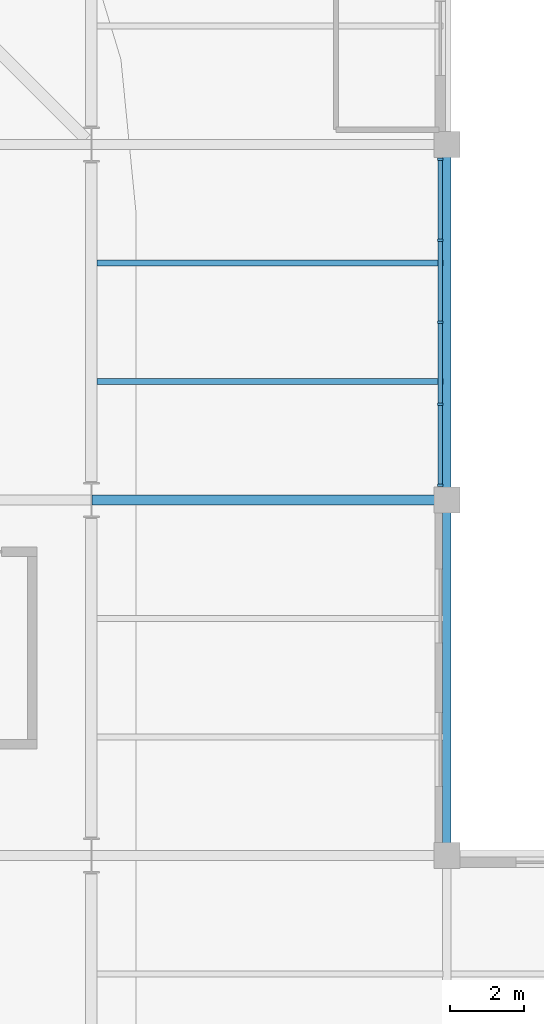
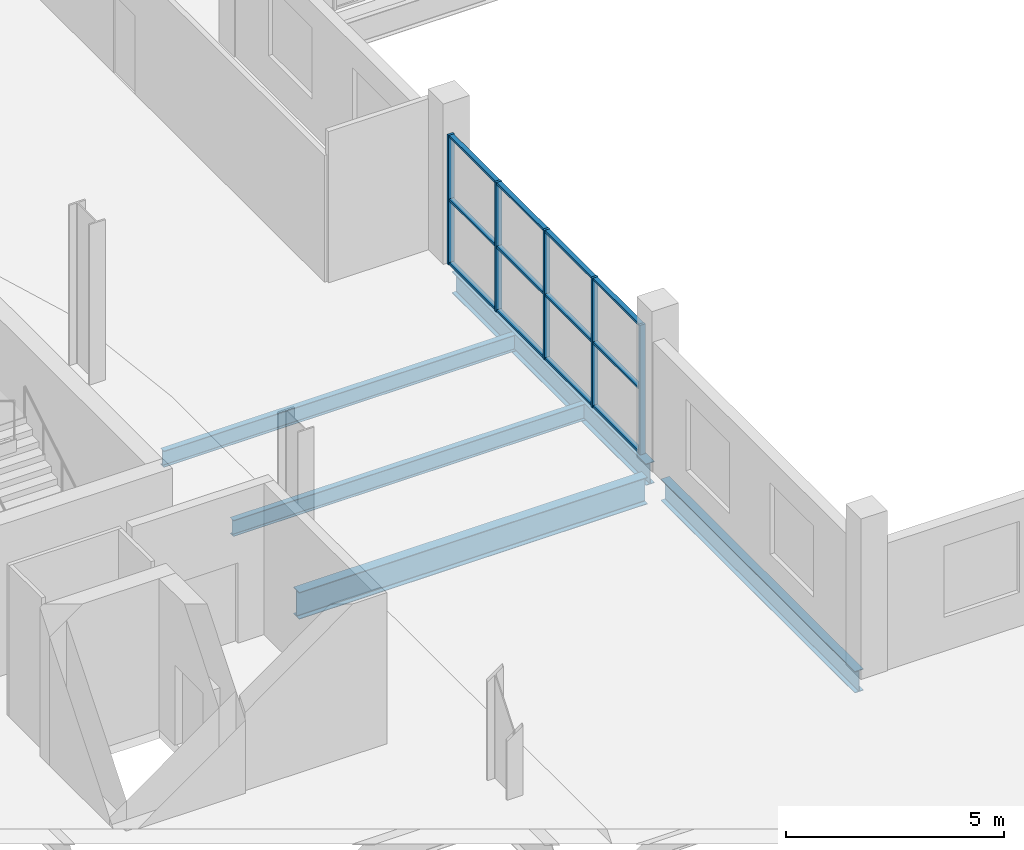
# One storey, part 25 of 75: 17 members, 5 beams, 1 element without a shape of its own.
"""IFC4 building model written with IfcOpenShell, lengths in metres."""

from ifc_helpers import new_model, si_unit, direction, frame, origin, origin_2d, place, context, subcontext, project, spatial, rectangle, i_section, extrude, material, layer, layer_set, material_profile, profile_set, type_object, element, aggregate, save


model = new_model("IFC4")

# Units and contexts
model_context = context("Model", 3, precision=1e-05, world=origin(), true_north=direction((0.0, 1.0)))
body_context = subcontext(model_context, "Body", "Model", "MODEL_VIEW")
ifc_project = project(units=[si_unit("LENGTHUNIT", "METRE"), si_unit("AREAUNIT", "SQUARE_METRE"), si_unit("VOLUMEUNIT", "CUBIC_METRE"), si_unit("PLANEANGLEUNIT", "RADIAN"), si_unit("MASSUNIT", "GRAM", prefix="KILO")], contexts=[model_context])

# Site, building, storey
site_placement = place(None, origin())
site = spatial("IfcSite", under=ifc_project, at=site_placement, CompositionType="ELEMENT")
building_placement = place(site_placement, origin())
building = spatial("IfcBuilding", under=site, at=building_placement, Name="Caelomonte Colonnade Arena", CompositionType="ELEMENT")
storey_placement = place(building_placement, frame((0.0, 0.0, 14.10009765625)))
storey = spatial("IfcBuildingStorey", under=building, at=storey_placement, Name="L03", CompositionType="ELEMENT", Elevation=14.10009765625)

# Curtain wall, members
ifc_material_1 = material(Name="Bronze anodised aluminium and low-E glazing", Category="aluminium")
ifc_layer = layer(ifc_material_1, 0.179931640625)
ifc_layer_set = layer_set([ifc_layer], Name="Bronze anodised aluminium and low-E glazing")
curtain_wall_type = type_object("IfcCurtainWallType", Name="ENV-CW-CW-L03-96-36", PredefinedType="USERDEFINED", material=ifc_layer_set)
curtain_wall_placement = place(storey_placement, origin())
curtain_wall = element("IfcCurtainWall", 1, at=curtain_wall_placement, inside=storey, type_object=curtain_wall_type, Name="L03 unitized curtain wall CW-L03-1726-0912", ObjectType="UNITIZED CURTAIN WALL", PredefinedType="USERDEFINED")
ifc_material_2 = material(Name="Bronze anodised aluminium AA6063-T6", Category="aluminium")
ifc_material_profile_1 = material_profile(ifc_material_2, rectangle(XDim=0.06494140625, YDim=0.14990234375, at=origin_2d()), Name="CWM-65X150")
ifc_profile_set_1 = profile_set([ifc_material_profile_1], Name="Bronze anodised aluminium AA6063-T6")
member_type_1 = type_object("IfcMemberType", Name="ENV-CW-MULL2", PredefinedType="MULLION", material=ifc_profile_set_1)
member_1_placement = place(storey_placement, frame((172.6201171875, 86.802490234375, 0.0), z_axis=(0.0, 0.0, 1.0), x_axis=(0.0, 1.0, 0.0)))
member_1 = element("IfcMember", 2, at=member_1_placement, type_object=member_type_1, Name="CW-L03-96-36 mullion 1", PredefinedType="MULLION", context=body_context, shape_type="SweptSolid", body=[
    extrude(rectangle(XDim=0.06494140625, YDim=0.14990234375, at=origin_2d()), origin(), (0.0, 0.0, 1.0), 3.637939453125),
])
member_2_placement = place(storey_placement, frame((172.6201171875, 88.985107421875, 0.0), z_axis=(0.0, 0.0, 1.0), x_axis=(0.0, 1.0, 0.0)))
member_2 = element("IfcMember", 3, at=member_2_placement, type_object=member_type_1, Name="CW-L03-96-36 mullion 2", PredefinedType="MULLION", context=body_context, shape_type="SweptSolid", body=[
    extrude(rectangle(XDim=0.06494140625, YDim=0.14990234375, at=origin_2d()), origin(), (0.0, 0.0, 1.0), 3.637939453125),
])
member_3_placement = place(storey_placement, frame((172.6201171875, 91.199951171875, 0.0), z_axis=(0.0, 0.0, 1.0), x_axis=(0.0, 1.0, 0.0)))
member_3 = element("IfcMember", 4, at=member_3_placement, type_object=member_type_1, Name="CW-L03-96-36 mullion 3", PredefinedType="MULLION", context=body_context, shape_type="SweptSolid", body=[
    extrude(rectangle(XDim=0.06494140625, YDim=0.14990234375, at=origin_2d()), origin(), (0.0, 0.0, 1.0), 3.637939453125),
])
member_4_placement = place(storey_placement, frame((172.6201171875, 93.4150390625, 0.0), z_axis=(0.0, 0.0, 1.0), x_axis=(0.0, 1.0, 0.0)))
member_4 = element("IfcMember", 5, at=member_4_placement, type_object=member_type_1, Name="CW-L03-96-36 mullion 4", PredefinedType="MULLION", context=body_context, shape_type="SweptSolid", body=[
    extrude(rectangle(XDim=0.06494140625, YDim=0.14990234375, at=origin_2d()), origin(), (0.0, 0.0, 1.0), 3.637939453125),
])
member_5_placement = place(storey_placement, frame((172.6201171875, 95.597412109375, 0.0), z_axis=(0.0, 0.0, 1.0), x_axis=(0.0, 1.0, 0.0)))
member_5 = element("IfcMember", 6, at=member_5_placement, type_object=member_type_1, Name="CW-L03-96-36 mullion 5", PredefinedType="MULLION", context=body_context, shape_type="SweptSolid", body=[
    extrude(rectangle(XDim=0.06494140625, YDim=0.14990234375, at=origin_2d()), origin(), (0.0, 0.0, 1.0), 3.637939453125),
])
ifc_material_profile_2 = material_profile(ifc_material_2, rectangle(XDim=0.06494140625, YDim=0.1201171875, at=origin_2d()), Name="CWT-65X120")
ifc_profile_set_2 = profile_set([ifc_material_profile_2], Name="Bronze anodised aluminium AA6063-T6")
member_type_2 = type_object("IfcMemberType", Name="ENV-CW-TRAN2", PredefinedType="USERDEFINED", material=ifc_profile_set_2)
member_6_placement = place(storey_placement, frame((172.6201171875, 86.8349609375, 0.032470703125), z_axis=(0.0, 1.0, 0.0), x_axis=(0.0, 0.0, 1.0)))
member_6 = element("IfcMember", 7, at=member_6_placement, type_object=member_type_2, Name="CW-L03-96-36 transom 1.1", ObjectType="TRANSOM", PredefinedType="USERDEFINED", context=body_context, shape_type="SweptSolid", body=[
    extrude(rectangle(XDim=0.06494140625, YDim=0.1201171875, at=origin_2d()), origin(), (0.0, 0.0, 1.0), 2.117431640625),
])
member_7_placement = place(storey_placement, frame((172.6201171875, 86.8349609375, 1.81884765625), z_axis=(0.0, 1.0, 0.0), x_axis=(0.0, 0.0, 1.0)))
member_7 = element("IfcMember", 8, at=member_7_placement, type_object=member_type_2, Name="CW-L03-96-36 transom 1.2", ObjectType="TRANSOM", PredefinedType="USERDEFINED", context=body_context, shape_type="SweptSolid", body=[
    extrude(rectangle(XDim=0.06494140625, YDim=0.1201171875, at=origin_2d()), origin(), (0.0, 0.0, 1.0), 2.117431640625),
])
member_8_placement = place(storey_placement, frame((172.6201171875, 86.8349609375, 3.60546875), z_axis=(0.0, 1.0, 0.0), x_axis=(0.0, 0.0, 1.0)))
member_8 = element("IfcMember", 9, at=member_8_placement, type_object=member_type_2, Name="CW-L03-96-36 transom 1.3", ObjectType="TRANSOM", PredefinedType="USERDEFINED", context=body_context, shape_type="SweptSolid", body=[
    extrude(rectangle(XDim=0.06494140625, YDim=0.1201171875, at=origin_2d()), origin(), (0.0, 0.0, 1.0), 2.117431640625),
])
member_9_placement = place(storey_placement, frame((172.6201171875, 89.017578125, 0.032470703125), z_axis=(0.0, 1.0, 0.0), x_axis=(0.0, 0.0, 1.0)))
member_9 = element("IfcMember", 10, at=member_9_placement, type_object=member_type_2, Name="CW-L03-96-36 transom 2.1", ObjectType="TRANSOM", PredefinedType="USERDEFINED", context=body_context, shape_type="SweptSolid", body=[
    extrude(rectangle(XDim=0.06494140625, YDim=0.1201171875, at=origin_2d()), origin(), (0.0, 0.0, 1.0), 2.14990234375),
])
member_10_placement = place(storey_placement, frame((172.6201171875, 89.017578125, 1.81884765625), z_axis=(0.0, 1.0, 0.0), x_axis=(0.0, 0.0, 1.0)))
member_10 = element("IfcMember", 11, at=member_10_placement, type_object=member_type_2, Name="CW-L03-96-36 transom 2.2", ObjectType="TRANSOM", PredefinedType="USERDEFINED", context=body_context, shape_type="SweptSolid", body=[
    extrude(rectangle(XDim=0.06494140625, YDim=0.1201171875, at=origin_2d()), origin(), (0.0, 0.0, 1.0), 2.14990234375),
])
member_11_placement = place(storey_placement, frame((172.6201171875, 89.017578125, 3.60546875), z_axis=(0.0, 1.0, 0.0), x_axis=(0.0, 0.0, 1.0)))
member_11 = element("IfcMember", 12, at=member_11_placement, type_object=member_type_2, Name="CW-L03-96-36 transom 2.3", ObjectType="TRANSOM", PredefinedType="USERDEFINED", context=body_context, shape_type="SweptSolid", body=[
    extrude(rectangle(XDim=0.06494140625, YDim=0.1201171875, at=origin_2d()), origin(), (0.0, 0.0, 1.0), 2.14990234375),
])
member_12_placement = place(storey_placement, frame((172.6201171875, 91.232421875, 0.032470703125), z_axis=(0.0, 1.0, 0.0), x_axis=(0.0, 0.0, 1.0)))
member_12 = element("IfcMember", 13, at=member_12_placement, type_object=member_type_2, Name="CW-L03-96-36 transom 3.1", ObjectType="TRANSOM", PredefinedType="USERDEFINED", context=body_context, shape_type="SweptSolid", body=[
    extrude(rectangle(XDim=0.06494140625, YDim=0.1201171875, at=origin_2d()), origin(), (0.0, 0.0, 1.0), 2.150146484375),
])
member_13_placement = place(storey_placement, frame((172.6201171875, 91.232421875, 1.81884765625), z_axis=(0.0, 1.0, 0.0), x_axis=(0.0, 0.0, 1.0)))
member_13 = element("IfcMember", 14, at=member_13_placement, type_object=member_type_2, Name="CW-L03-96-36 transom 3.2", ObjectType="TRANSOM", PredefinedType="USERDEFINED", context=body_context, shape_type="SweptSolid", body=[
    extrude(rectangle(XDim=0.06494140625, YDim=0.1201171875, at=origin_2d()), origin(), (0.0, 0.0, 1.0), 2.150146484375),
])
member_14_placement = place(storey_placement, frame((172.6201171875, 91.232421875, 3.60546875), z_axis=(0.0, 1.0, 0.0), x_axis=(0.0, 0.0, 1.0)))
member_14 = element("IfcMember", 15, at=member_14_placement, type_object=member_type_2, Name="CW-L03-96-36 transom 3.3", ObjectType="TRANSOM", PredefinedType="USERDEFINED", context=body_context, shape_type="SweptSolid", body=[
    extrude(rectangle(XDim=0.06494140625, YDim=0.1201171875, at=origin_2d()), origin(), (0.0, 0.0, 1.0), 2.150146484375),
])
member_15_placement = place(storey_placement, frame((172.6201171875, 93.447509765625, 0.032470703125), z_axis=(0.0, 1.0, 0.0), x_axis=(0.0, 0.0, 1.0)))
member_15 = element("IfcMember", 16, at=member_15_placement, type_object=member_type_2, Name="CW-L03-96-36 transom 4.1", ObjectType="TRANSOM", PredefinedType="USERDEFINED", context=body_context, shape_type="SweptSolid", body=[
    extrude(rectangle(XDim=0.06494140625, YDim=0.1201171875, at=origin_2d()), origin(), (0.0, 0.0, 1.0), 2.117431640625),
])
member_16_placement = place(storey_placement, frame((172.6201171875, 93.447509765625, 1.81884765625), z_axis=(0.0, 1.0, 0.0), x_axis=(0.0, 0.0, 1.0)))
member_16 = element("IfcMember", 17, at=member_16_placement, type_object=member_type_2, Name="CW-L03-96-36 transom 4.2", ObjectType="TRANSOM", PredefinedType="USERDEFINED", context=body_context, shape_type="SweptSolid", body=[
    extrude(rectangle(XDim=0.06494140625, YDim=0.1201171875, at=origin_2d()), origin(), (0.0, 0.0, 1.0), 2.117431640625),
])
member_17_placement = place(storey_placement, frame((172.6201171875, 93.447509765625, 3.60546875), z_axis=(0.0, 1.0, 0.0), x_axis=(0.0, 0.0, 1.0)))
member_17 = element("IfcMember", 18, at=member_17_placement, type_object=member_type_2, Name="CW-L03-96-36 transom 4.3", ObjectType="TRANSOM", PredefinedType="USERDEFINED", context=body_context, shape_type="SweptSolid", body=[
    extrude(rectangle(XDim=0.06494140625, YDim=0.1201171875, at=origin_2d()), origin(), (0.0, 0.0, 1.0), 2.117431640625),
])
aggregate(curtain_wall, [member_1, member_2, member_3, member_4, member_5, member_6, member_7, member_8, member_9, member_10, member_11, member_12, member_13, member_14, member_15, member_16, member_17])

# Beams
ifc_material_3 = material(Name="Wide-flange steel ASTM A992 Grade 50", Category="steel")
ifc_material_profile_3 = material_profile(ifc_material_3, i_section(OverallWidth=0.228271484375, OverallDepth=0.607177734375, WebThickness=0.01123046875, FlangeThickness=0.017333984375, FilletRadius=0.0126953125, at=origin_2d()), Name="W24X76")
ifc_profile_set_3 = profile_set([ifc_material_profile_3], Name="Wide-flange steel ASTM A992 Grade 50")
beam_type_1 = type_object("IfcBeamType", Name="STR-BM-GIRD24", PredefinedType="BEAM", material=ifc_profile_set_3)
for number, where, z_axis, x_axis, name in (
    (19, (172.800048828125, 77.14208984375, -0.58349609375), (0.0, 1.0, 0.0), (-1.0, 0.0, 0.0), "L03 girder BMY-L03-1728-0768"),
    (20, (172.800048828125, 86.741943359375, -0.58349609375), (0.0, 1.0, 0.0), (-1.0, 0.0, 0.0), "L03 girder BMY-L03-1728-0864"),
):
    element("IfcBeam", number, at=place(storey_placement, frame(where, z_axis=z_axis, x_axis=x_axis)), inside=storey, type_object=beam_type_1, Name=name, PredefinedType="BEAM", context=body_context, shape_type="SweptSolid", body=[
        extrude(i_section(OverallWidth=0.228271484375, OverallDepth=0.607177734375, WebThickness=0.01123046875, FlangeThickness=0.017333984375, FilletRadius=0.0126953125, at=origin_2d()), origin(), (0.0, 0.0, 1.0), 8.916015625),
    ])
ifc_material_profile_4 = material_profile(ifc_material_3, i_section(OverallWidth=0.265380859375, OverallDepth=0.75439453125, WebThickness=0.01318359375, FlangeThickness=0.01708984375, FilletRadius=0.0166015625, at=origin_2d()), Name="W30X99")
ifc_profile_set_4 = profile_set([ifc_material_profile_4], Name="Wide-flange steel ASTM A992 Grade 50")
beam_type_2 = type_object("IfcBeamType", Name="STR-BM-GIRD30B", PredefinedType="BEAM", material=ifc_profile_set_4)
beam_placement = place(storey_placement, frame((163.2119140625, 86.39990234375, -0.6572265625), z_axis=(1.0, 0.0, 0.0), x_axis=(0.0, 1.0, 0.0)))
element("IfcBeam", 21, at=beam_placement, inside=storey, type_object=beam_type_2, Name="L03 girder BMX-L03-1632-0864", PredefinedType="BEAM", context=body_context, shape_type="SweptSolid", body=[
    extrude(i_section(OverallWidth=0.265380859375, OverallDepth=0.75439453125, WebThickness=0.01318359375, FlangeThickness=0.01708984375, FilletRadius=0.0166015625, at=origin_2d()), origin(), (0.0, 0.0, 1.0), 9.24609375),
])
ifc_material_profile_5 = material_profile(ifc_material_3, i_section(OverallWidth=0.15283203125, OverallDepth=0.45458984375, WebThickness=0.008056640625, FlangeThickness=0.01318359375, FilletRadius=0.01025390625, at=origin_2d()), Name="W18X40")
ifc_profile_set_5 = profile_set([ifc_material_profile_5], Name="Wide-flange steel ASTM A992 Grade 50")
beam_type_3 = type_object("IfcBeamType", Name="STR-BM-JOIST18B", PredefinedType="JOIST", material=ifc_profile_set_5)
for number, where, z_axis, x_axis, name in (
    (22, (163.348876953125, 89.60009765625, -0.50732421875), (1.0, 0.0, 0.0), (0.0, 1.0, 0.0), "L03 secondary joist 1"),
    (23, (163.348876953125, 92.800048828125, -0.50732421875), (1.0, 0.0, 0.0), (0.0, 1.0, 0.0), "L03 secondary joist 2"),
):
    element("IfcBeam", number, at=place(storey_placement, frame(where, z_axis=z_axis, x_axis=x_axis)), inside=storey, type_object=beam_type_3, Name=name, PredefinedType="JOIST", context=body_context, shape_type="SweptSolid", body=[
        extrude(i_section(OverallWidth=0.15283203125, OverallDepth=0.45458984375, WebThickness=0.008056640625, FlangeThickness=0.01318359375, FilletRadius=0.01025390625, at=origin_2d()), origin(), (0.0, 0.0, 1.0), 9.342041015625),
    ])

save(model, "model.ifc")
